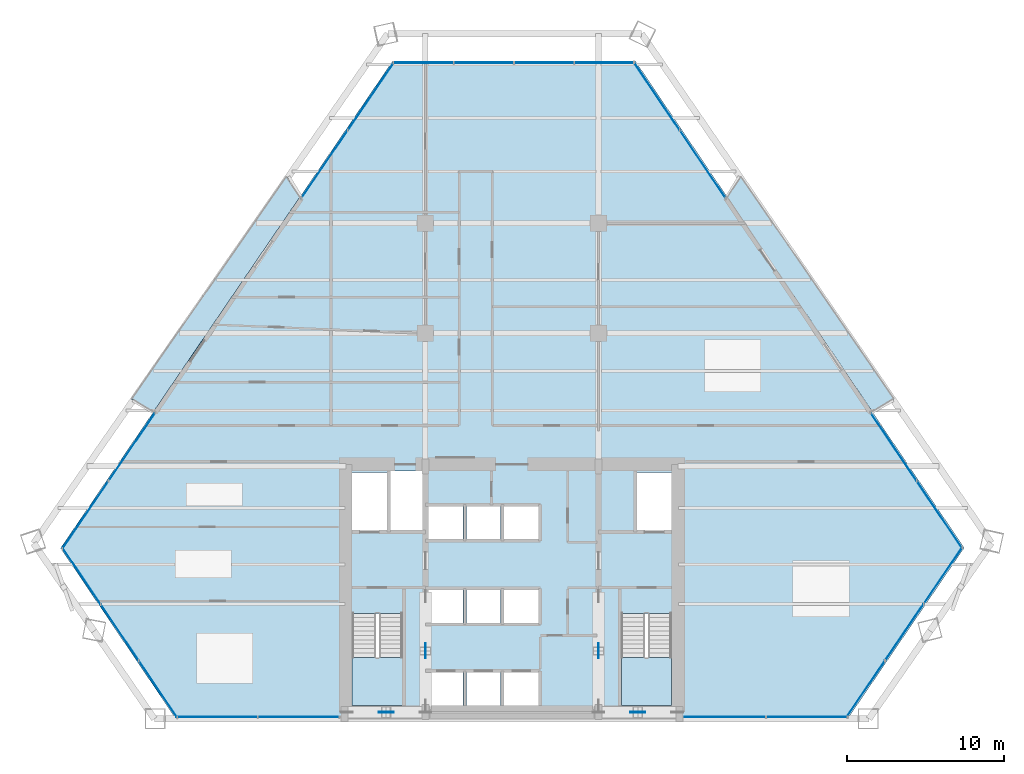
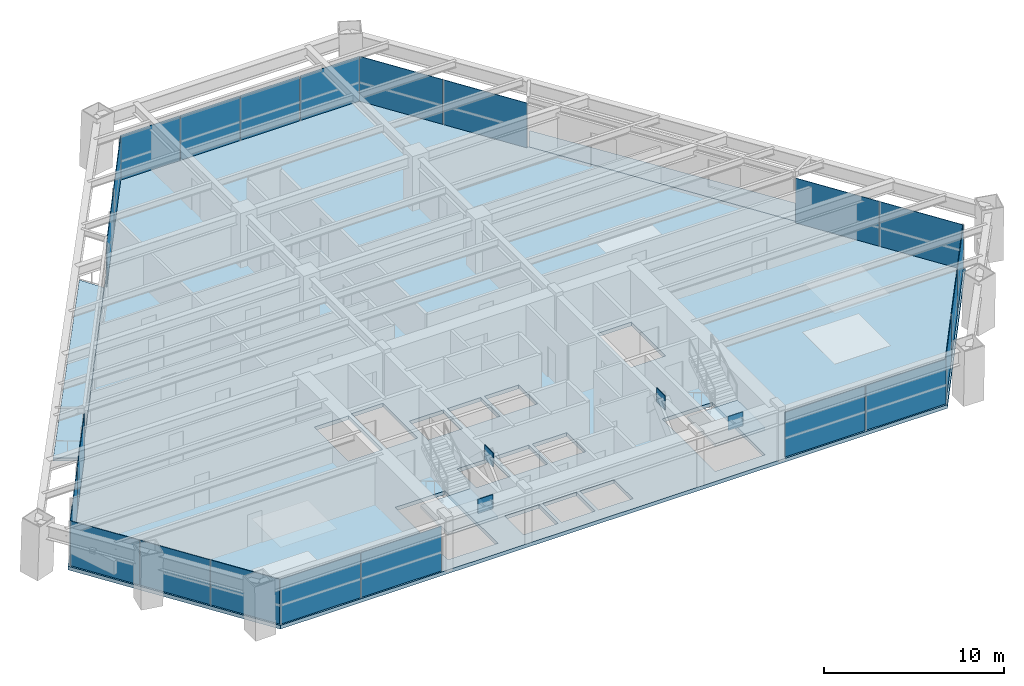
# One storey, part 9 of 14: 26 plates, 5 slabs, 11 elements without a shape of their own.
"""IFC4 building model written with IfcOpenShell, lengths in metres."""

from ifc_helpers import new_model, si_unit, direction, frame, origin, origin_2d, place, context, subcontext, project, spatial, polyline, rectangle, outline, extrude, source, transform, mapped, material, layer, layer_set, type_object, element, aggregate, save


model = new_model("IFC4")

# Units and contexts
model_context = context("Model", 3, precision=1e-05, world=origin(), true_north=direction((0.0, 1.0)))
body_context = subcontext(model_context, "Body", "Model", "MODEL_VIEW")
ifc_project = project(units=[si_unit("LENGTHUNIT", "METRE"), si_unit("AREAUNIT", "SQUARE_METRE"), si_unit("VOLUMEUNIT", "CUBIC_METRE"), si_unit("PLANEANGLEUNIT", "RADIAN"), si_unit("MASSUNIT", "GRAM", prefix="KILO")], contexts=[model_context])

# Site, building, storey
site_placement = place(None, origin())
site = spatial("IfcSite", under=ifc_project, at=site_placement, CompositionType="ELEMENT")
building_placement = place(site_placement, origin())
building = spatial("IfcBuilding", under=site, at=building_placement, Name="Varnakhor Terracotta Tower", CompositionType="ELEMENT")
storey_placement = place(building_placement, frame((0.0, 0.0, 38.60009765625)))
storey = spatial("IfcBuildingStorey", under=building, at=storey_placement, Name="L08", CompositionType="ELEMENT", Elevation=38.60009765625)

# Stair, slab
ifc_material_1 = material(Name="Concrete C40/50", Category="concrete")
stair_type = type_object("IfcStairType", Name="STR-CORE-OFFICE-1500", PredefinedType="HALF_TURN_STAIR", material=ifc_material_1)
stair_1_placement = place(storey_placement, origin())
stair_1 = element("IfcStair", 1, at=stair_1_placement, inside=storey, type_object=stair_type, Name="L08 Core Exit Stair ST-1", PredefinedType="HALF_TURN_STAIR")
ifc_layer_1 = layer(ifc_material_1, 0.179931640625, Name="Concrete C40/50")
ifc_layer_set_1 = layer_set([ifc_layer_1], Name="Concrete C40/50")
slab_type_1 = type_object("IfcSlabType", Name="SLB-LANDING-180", PredefinedType="LANDING", material=ifc_layer_set_1)
slab_1_placement = place(storey_placement, frame((0.0, 0.0, 1.64990234375)))
slab_1 = element("IfcSlab", 2, at=slab_1_placement, type_object=slab_type_1, Name="ST-1 landing 1", PredefinedType="LANDING", context=body_context, shape_type="SweptSolid", body=[
    extrude(outline(polyline([(-10.14990234375, 3.909912109375), (-10.14990234375, 0.85009765625), (-6.949951171875, 0.85009765625), (-6.949951171875, 3.909912109375), (-10.14990234375, 3.909912109375)])), origin(), (0.0, 0.0, 1.0), 0.199951171875),
])
aggregate(stair_1, [slab_1])

stair_2_placement = place(storey_placement, origin())
stair_2 = element("IfcStair", 3, at=stair_2_placement, inside=storey, type_object=stair_type, Name="L08 Core Exit Stair ST-2", PredefinedType="HALF_TURN_STAIR")
slab_2_placement = place(storey_placement, frame((0.0, 0.0, 1.64990234375)))
slab_2 = element("IfcSlab", 4, at=slab_2_placement, type_object=slab_type_1, Name="ST-2 landing 1", PredefinedType="LANDING", context=body_context, shape_type="SweptSolid", body=[
    extrude(outline(polyline([(6.949951171875, 3.909912109375), (6.949951171875, 0.85009765625), (10.14990234375, 0.85009765625), (10.14990234375, 3.909912109375), (6.949951171875, 3.909912109375)])), origin(), (0.0, 0.0, 1.0), 0.199951171875),
])
aggregate(stair_2, [slab_2])

# Slabs
ifc_layer_2 = layer(ifc_material_1, 0.195068359375, Name="Concrete C40/50")
ifc_layer_set_2 = layer_set([ifc_layer_2], Name="Concrete C40/50")
slab_type_2 = type_object("IfcSlabType", Name="SLB-LOGGIA-EXT-195", PredefinedType="FLOOR", material=ifc_layer_set_2)
slab_3_placement = place(storey_placement, frame((0.0, 0.0, -0.195068359375)))
element("IfcSlab", 5, at=slab_3_placement, inside=storey, type_object=slab_type_2, Name="L08 E Recessed Outdoor Loggia Slab", PredefinedType="FLOOR", context=body_context, shape_type="SweptSolid", body=[
    extrude(outline(polyline([(14.517578125, 34.49658203125), (24.281005859375, 20.328369140625), (22.889404296875, 19.538330078125), (13.72998046875, 33.095703125), (13.689208984375, 33.156005859375), (14.517578125, 34.49658203125)])), origin(), (0.0, 0.0, 1.0), 0.195068359375),
])
slab_4_placement = place(storey_placement, frame((0.0, 0.0, -0.195068359375)))
element("IfcSlab", 6, at=slab_4_placement, inside=storey, type_object=slab_type_2, Name="L08 W Recessed Outdoor Loggia Slab", PredefinedType="FLOOR", context=body_context, shape_type="SweptSolid", body=[
    extrude(outline(polyline([(-24.1708984375, 20.31298828125), (-14.31689453125, 34.49072265625), (-13.48828125, 33.150390625), (-21.5693359375, 21.297607421875), (-22.77880859375, 19.523681640625), (-24.1708984375, 20.31298828125)])), origin(), (0.0, 0.0, 1.0), 0.195068359375),
])
ifc_layer_3 = layer(ifc_material_1, 0.25, Name="Concrete C40/50")
ifc_layer_set_3 = layer_set([ifc_layer_3], Name="Concrete C40/50")
slab_type_3 = type_object("IfcSlabType", Name="SLB-OFF-250", PredefinedType="FLOOR", material=ifc_layer_set_3)
slab_5_placement = place(storey_placement, frame((0.0, 0.0, -0.25)))
element("IfcSlab", 7, at=slab_5_placement, inside=storey, type_object=slab_type_3, Name="L08 Structural Floor Slab", PredefinedType="FLOOR", context=body_context, shape_type="SweptSolid", body=[
    extrude(outline(polyline([(-28.69091796875, 10.852294921875), (-7.576416015625, 41.822021484375), (7.834716796875, 41.822021484375), (28.744140625, 10.87255859375), (21.33154296875, 0.0), (-21.359130859375, 0.0), (-28.69091796875, 10.852294921875)]), holes=[polyline([(-3.10009765625, 0.85009765625), (-3.10009765625, 2.949951171875), (-5.300048828125, 2.949951171875), (-5.300048828125, 0.85009765625), (-3.10009765625, 0.85009765625)]), polyline([(-2.8798828125, 0.85009765625), (-0.719970703125, 0.85009765625), (-0.719970703125, 2.949951171875), (-2.8798828125, 2.949951171875), (-2.8798828125, 0.85009765625)]), polyline([(-10.14990234375, 0.85009765625), (-6.949951171875, 0.85009765625), (-6.949951171875, 6.695068359375), (-10.14990234375, 6.695068359375), (-10.14990234375, 0.85009765625)]), polyline([(-5.300048828125, 6.10009765625), (-3.10009765625, 6.10009765625), (-3.10009765625, 8.199951171875), (-5.300048828125, 8.199951171875), (-5.300048828125, 6.10009765625)]), polyline([(-5.300048828125, 11.419921875), (-3.10009765625, 11.419921875), (-3.10009765625, 13.52001953125), (-5.300048828125, 13.52001953125), (-5.300048828125, 11.419921875)]), polyline([(-10.14990234375, 11.8798828125), (-7.949951171875, 11.8798828125), (-7.949951171875, 15.64990234375), (-10.14990234375, 15.64990234375), (-10.14990234375, 11.8798828125)]), polyline([(-7.72998046875, 11.8798828125), (-5.699951171875, 11.8798828125), (-5.699951171875, 15.75), (-7.72998046875, 15.75), (-7.72998046875, 11.8798828125)]), polyline([(1.699951171875, 0.85009765625), (1.699951171875, 2.949951171875), (-0.5, 2.949951171875), (-0.5, 0.85009765625), (1.699951171875, 0.85009765625)]), polyline([(6.949951171875, 0.85009765625), (10.14990234375, 0.85009765625), (10.14990234375, 6.695068359375), (6.949951171875, 6.695068359375), (6.949951171875, 0.85009765625)]), polyline([(-2.8798828125, 6.10009765625), (-0.719970703125, 6.10009765625), (-0.719970703125, 8.199951171875), (-2.8798828125, 8.199951171875), (-2.8798828125, 6.10009765625)]), polyline([(-0.5, 6.10009765625), (1.699951171875, 6.10009765625), (1.699951171875, 8.199951171875), (-0.5, 8.199951171875), (-0.5, 6.10009765625)]), polyline([(-2.8798828125, 11.419921875), (-0.719970703125, 11.419921875), (-0.719970703125, 13.52001953125), (-2.8798828125, 13.52001953125), (-2.8798828125, 11.419921875)]), polyline([(-0.5, 11.419921875), (1.699951171875, 11.419921875), (1.699951171875, 13.52001953125), (-0.5, 13.52001953125), (-0.5, 11.419921875)]), polyline([(7.949951171875, 11.8798828125), (10.14990234375, 11.8798828125), (10.14990234375, 15.64990234375), (7.949951171875, 15.64990234375), (7.949951171875, 11.8798828125)])]), origin(), (0.0, 0.0, 1.0), 0.25),
])

# Plates
ifc_material_2 = material(Name="Steel S460", Category="steel")
ifc_layer_4 = layer(ifc_material_2, 0.050048828125, Name="Steel S460")
ifc_layer_set_4 = layer_set([ifc_layer_4], Name="Steel S460")
plate_type_1 = type_object("IfcPlateType", Name="PLT-GUSSET-50", PredefinedType="USERDEFINED", material=ifc_layer_set_4)
shared_shape_1 = source(origin(), body_context, "Body", "SweptSolid", [
    extrude(rectangle(XDim=0.949951171875, YDim=0.044921875, at=origin_2d()), origin(), (0.0, 0.0, 1.0), 0.949951171875),
])
for number, where, z_axis, x_axis, name in (
    (8, (-8.0, 0.419921875, 2.82470703125), (0.0, 0.0, 1.0), (1.0, 0.0, 0.0), "L08 Core Brace Apex Gusset CSW"),
    (9, (8.0, 0.419921875, 2.82470703125), (0.0, 0.0, 1.0), (1.0, 0.0, 0.0), "L08 Core Brace Apex Gusset CSE"),
    (10, (-5.5, 4.324951171875, 2.82470703125), (0.0, 0.0, 1.0), (0.0, 1.0, 0.0), "L08 Core Brace Apex Gusset CWW"),
    (11, (5.5, 4.324951171875, 2.82470703125), (0.0, 0.0, 1.0), (0.0, 1.0, 0.0), "L08 Core Brace Apex Gusset CWE"),
):
    element("IfcPlate", number, at=place(storey_placement, frame(where, z_axis=z_axis, x_axis=x_axis)), inside=storey, type_object=plate_type_1, Name=name, ObjectType="GUSSET PLATE", PredefinedType="USERDEFINED", context=body_context, shape_type="MappedRepresentation", body=[
        mapped(shared_shape_1, transform((0.0, 0.0, 0.0), scale=1.0)),
    ])

# Curtain wall, plates
ifc_material_3 = material(Name="Anodised Aluminium Curtain Wall System", Category="aluminium")
curtain_wall_type = type_object("IfcCurtainWallType", Name="CW-SYS-LOW-OFFICE", PredefinedType="NOTDEFINED", material=ifc_material_3)
curtain_wall_1_placement = place(storey_placement, origin())
curtain_wall_1 = element("IfcCurtainWall", 12, at=curtain_wall_1_placement, inside=storey, type_object=curtain_wall_type, Name="L08 W Facet Curtain Wall 1", PredefinedType="NOTDEFINED")
ifc_material_4 = material(Name="Solar-Control Low-E Insulated Glass Panel", Category="glass")
ifc_layer_5 = layer(ifc_material_4, 0.0380859375, Name="Solar-Control Low-E Insulated Glass Panel")
ifc_layer_set_5 = layer_set([ifc_layer_5], Name="Solar-Control Low-E Insulated Glass Panel")
plate_type_2 = type_object("IfcPlateType", Name="CWP-02", PredefinedType="CURTAIN_PANEL", material=ifc_layer_set_5)
shared_shape_2 = source(origin(), body_context, "Body", "SweptSolid", [
    extrude(rectangle(XDim=5.177490234375, YDim=0.035888671875, at=origin_2d()), origin(), (0.0, 0.0, 1.0), 3.030029296875),
])
plate_1_placement = place(storey_placement, frame((-27.105224609375, 12.96484375, 0.0), z_axis=(0.0, 0.0, 1.0), x_axis=(0.563309757601, 0.826245796959, 0.0)))
plate_1 = element("IfcPlate", 13, at=plate_1_placement, type_object=plate_type_2, Name="L08 W Facet Curtain Wall 1 Glazed Panel 1", PredefinedType="CURTAIN_PANEL", context=body_context, shape_type="MappedRepresentation", body=[
    mapped(shared_shape_2, transform((0.0, 0.0, 0.0), scale=1.0)),
])
plate_2_placement = place(storey_placement, frame((-24.166015625, 17.27587890625, 0.0), z_axis=(0.0, 0.0, 1.0), x_axis=(0.563309757601, 0.826245796959, 0.0)))
plate_2 = element("IfcPlate", 14, at=plate_2_placement, type_object=plate_type_2, Name="L08 W Facet Curtain Wall 1 Glazed Panel 2", PredefinedType="CURTAIN_PANEL", context=body_context, shape_type="MappedRepresentation", body=[
    mapped(shared_shape_2, transform((0.0, 0.0, 0.0), scale=1.0)),
])
aggregate(curtain_wall_1, [plate_1, plate_2])

curtain_wall_2_placement = place(storey_placement, origin())
curtain_wall_2 = element("IfcCurtainWall", 15, at=curtain_wall_2_placement, inside=storey, type_object=curtain_wall_type, Name="L08 W Facet Curtain Wall 2", PredefinedType="NOTDEFINED")
plate_3_placement = place(storey_placement, frame((-11.902587890625, 35.26318359375, 0.0), z_axis=(0.0, 0.0, 1.0), x_axis=(0.563309757601, 0.826245796959, 0.0)))
plate_3 = element("IfcPlate", 16, at=plate_3_placement, type_object=plate_type_2, Name="L08 W Facet Curtain Wall 2 Glazed Panel 1", PredefinedType="CURTAIN_PANEL", context=body_context, shape_type="MappedRepresentation", body=[
    mapped(shared_shape_2, transform((0.0, 0.0, 0.0), scale=1.0)),
])
plate_4_placement = place(storey_placement, frame((-8.963623046875, 39.57421875, 0.0), z_axis=(0.0, 0.0, 1.0), x_axis=(0.563309757601, 0.826245796959, 0.0)))
plate_4 = element("IfcPlate", 17, at=plate_4_placement, type_object=plate_type_2, Name="L08 W Facet Curtain Wall 2 Glazed Panel 2", PredefinedType="CURTAIN_PANEL", context=body_context, shape_type="MappedRepresentation", body=[
    mapped(shared_shape_2, transform((0.0, 0.0, 0.0), scale=1.0)),
])
aggregate(curtain_wall_2, [plate_3, plate_4])

curtain_wall_3_placement = place(storey_placement, origin())
curtain_wall_3 = element("IfcCurtainWall", 18, at=curtain_wall_3_placement, inside=storey, type_object=curtain_wall_type, Name="L08 Facet Curtain Wall 2", PredefinedType="NOTDEFINED")
shared_shape_3 = source(origin(), body_context, "Body", "SweptSolid", [
    extrude(rectangle(XDim=3.797607421875, YDim=0.035888671875, at=origin_2d()), origin(), (0.0, 0.0, 1.0), 3.030029296875),
])
plate_5_placement = place(storey_placement, frame((-5.62744140625, 41.701904296875, 0.0), z_axis=(0.0, 0.0, 1.0), x_axis=(1.0, 0.0, 0.0)))
plate_5 = element("IfcPlate", 19, at=plate_5_placement, type_object=plate_type_2, Name="L08 Facet Curtain Wall 2 Glazed Panel 1", PredefinedType="CURTAIN_PANEL", context=body_context, shape_type="MappedRepresentation", body=[
    mapped(shared_shape_3, transform((0.0, 0.0, 0.0), scale=1.0)),
])
plate_6_placement = place(storey_placement, frame((2.048095703125, 41.701904296875, 0.0), z_axis=(0.0, 0.0, 1.0), x_axis=(1.0, 0.0, 0.0)))
plate_6 = element("IfcPlate", 20, at=plate_6_placement, type_object=plate_type_2, Name="L08 Facet Curtain Wall 2 Glazed Panel 3", PredefinedType="CURTAIN_PANEL", context=body_context, shape_type="MappedRepresentation", body=[
    mapped(shared_shape_3, transform((0.0, 0.0, 0.0), scale=1.0)),
])
plate_7_placement = place(storey_placement, frame((5.8857421875, 41.701904296875, 0.0), z_axis=(0.0, 0.0, 1.0), x_axis=(1.0, 0.0, 0.0)))
plate_7 = element("IfcPlate", 21, at=plate_7_placement, type_object=plate_type_2, Name="L08 Facet Curtain Wall 2 Glazed Panel 4", PredefinedType="CURTAIN_PANEL", context=body_context, shape_type="MappedRepresentation", body=[
    mapped(shared_shape_3, transform((0.0, 0.0, 0.0), scale=1.0)),
])
shared_shape_4 = source(origin(), body_context, "Body", "SweptSolid", [
    extrude(rectangle(XDim=3.7978515625, YDim=0.035888671875, at=origin_2d()), origin(), (0.0, 0.0, 1.0), 3.030029296875),
])
plate_8_placement = place(storey_placement, frame((-1.789794921875, 41.701904296875, 0.0), z_axis=(0.0, 0.0, 1.0), x_axis=(1.0, 0.0, 0.0)))
plate_8 = element("IfcPlate", 22, at=plate_8_placement, type_object=plate_type_2, Name="L08 Facet Curtain Wall 2 Glazed Panel 2", PredefinedType="CURTAIN_PANEL", context=body_context, shape_type="MappedRepresentation", body=[
    mapped(shared_shape_4, transform((0.0, 0.0, 0.0), scale=1.0)),
])
aggregate(curtain_wall_3, [plate_5, plate_8, plate_6, plate_7])

curtain_wall_4_placement = place(storey_placement, origin())
curtain_wall_4 = element("IfcCurtainWall", 23, at=curtain_wall_4_placement, inside=storey, type_object=curtain_wall_type, Name="L08 E Facet Curtain Wall 1", PredefinedType="NOTDEFINED")
shared_shape_5 = source(origin(), body_context, "Body", "SweptSolid", [
    extrude(rectangle(XDim=5.1591796875, YDim=0.035888671875, at=origin_2d()), origin(), (0.0, 0.0, 1.0), 3.030029296875),
])
plate_9_placement = place(storey_placement, frame((9.207275390625, 39.575927734375, 0.0), z_axis=(0.0, 0.0, 1.0), x_axis=(0.559814931649, -0.828617669557, 0.0)))
plate_9 = element("IfcPlate", 24, at=plate_9_placement, type_object=plate_type_2, Name="L08 E Facet Curtain Wall 1 Glazed Panel 1", PredefinedType="CURTAIN_PANEL", context=body_context, shape_type="MappedRepresentation", body=[
    mapped(shared_shape_5, transform((0.0, 0.0, 0.0), scale=1.0)),
])
plate_10_placement = place(storey_placement, frame((12.117919921875, 35.267822265625, 0.0), z_axis=(0.0, 0.0, 1.0), x_axis=(0.559814931649, -0.828617669557, 0.0)))
plate_10 = element("IfcPlate", 25, at=plate_10_placement, type_object=plate_type_2, Name="L08 E Facet Curtain Wall 1 Glazed Panel 2", PredefinedType="CURTAIN_PANEL", context=body_context, shape_type="MappedRepresentation", body=[
    mapped(shared_shape_5, transform((0.0, 0.0, 0.0), scale=1.0)),
])
aggregate(curtain_wall_4, [plate_9, plate_10])

curtain_wall_5_placement = place(storey_placement, origin())
curtain_wall_5 = element("IfcCurtainWall", 26, at=curtain_wall_5_placement, inside=storey, type_object=curtain_wall_type, Name="L08 E Facet Curtain Wall 2", PredefinedType="NOTDEFINED")
plate_11_placement = place(storey_placement, frame((27.172607421875, 12.984130859375, 0.0), z_axis=(0.0, 0.0, 1.0), x_axis=(0.559814931649, -0.828617669557, 0.0)))
plate_11 = element("IfcPlate", 27, at=plate_11_placement, type_object=plate_type_2, Name="L08 E Facet Curtain Wall 2 Glazed Panel 2", PredefinedType="CURTAIN_PANEL", context=body_context, shape_type="MappedRepresentation", body=[
    mapped(shared_shape_5, transform((0.0, 0.0, 0.0), scale=1.0)),
])
shared_shape_6 = source(origin(), body_context, "Body", "SweptSolid", [
    extrude(rectangle(XDim=5.158935546875, YDim=0.035888671875, at=origin_2d()), origin(), (0.0, 0.0, 1.0), 3.030029296875),
])
plate_12_placement = place(storey_placement, frame((24.26220703125, 17.292236328125, 0.0), z_axis=(0.0, 0.0, 1.0), x_axis=(0.559814931649, -0.828617669557, 0.0)))
plate_12 = element("IfcPlate", 28, at=plate_12_placement, type_object=plate_type_2, Name="L08 E Facet Curtain Wall 2 Glazed Panel 1", PredefinedType="CURTAIN_PANEL", context=body_context, shape_type="MappedRepresentation", body=[
    mapped(shared_shape_6, transform((0.0, 0.0, 0.0), scale=1.0)),
])
aggregate(curtain_wall_5, [plate_12, plate_11])

curtain_wall_6_placement = place(storey_placement, origin())
curtain_wall_6 = element("IfcCurtainWall", 29, at=curtain_wall_6_placement, inside=storey, type_object=curtain_wall_type, Name="L08 Facet Curtain Wall 4", PredefinedType="NOTDEFINED")
shared_shape_7 = source(origin(), body_context, "Body", "SweptSolid", [
    extrude(rectangle(XDim=4.326416015625, YDim=0.035888671875, at=origin_2d()), origin(), (0.0, 0.0, 1.0), 3.030029296875),
])
plate_13_placement = place(storey_placement, frame((27.398193359375, 9.111572265625, 0.0), z_axis=(0.0, 0.0, 1.0), x_axis=(-0.563309757601, -0.826245796959, 0.0)))
plate_13 = element("IfcPlate", 30, at=plate_13_placement, type_object=plate_type_2, Name="L08 Facet Curtain Wall 4 Glazed Panel 1", PredefinedType="CURTAIN_PANEL", context=body_context, shape_type="MappedRepresentation", body=[
    mapped(shared_shape_7, transform((0.0, 0.0, 0.0), scale=1.0)),
])
plate_14_placement = place(storey_placement, frame((24.938720703125, 5.50390625, 0.0), z_axis=(0.0, 0.0, 1.0), x_axis=(-0.563309757601, -0.826245796959, 0.0)))
plate_14 = element("IfcPlate", 31, at=plate_14_placement, type_object=plate_type_2, Name="L08 Facet Curtain Wall 4 Glazed Panel 2", PredefinedType="CURTAIN_PANEL", context=body_context, shape_type="MappedRepresentation", body=[
    mapped(shared_shape_7, transform((0.0, 0.0, 0.0), scale=1.0)),
])
plate_15_placement = place(storey_placement, frame((22.47900390625, 1.896240234375, 0.0), z_axis=(0.0, 0.0, 1.0), x_axis=(-0.563309757601, -0.826245796959, 0.0)))
plate_15 = element("IfcPlate", 32, at=plate_15_placement, type_object=plate_type_2, Name="L08 Facet Curtain Wall 4 Glazed Panel 3", PredefinedType="CURTAIN_PANEL", context=body_context, shape_type="MappedRepresentation", body=[
    mapped(shared_shape_7, transform((0.0, 0.0, 0.0), scale=1.0)),
])
aggregate(curtain_wall_6, [plate_13, plate_14, plate_15])

curtain_wall_7_placement = place(storey_placement, origin())
curtain_wall_7 = element("IfcCurtainWall", 33, at=curtain_wall_7_placement, inside=storey, type_object=curtain_wall_type, Name="L08 South Wing Curtain Wall SSE", PredefinedType="NOTDEFINED")
shared_shape_8 = source(origin(), body_context, "Body", "SweptSolid", [
    extrude(rectangle(XDim=5.1357421875, YDim=0.035888671875, at=origin_2d()), origin(), (0.0, 0.0, 1.0), 3.030029296875),
])
plate_16_placement = place(storey_placement, frame((18.733642578125, 0.1201171875, 0.0), z_axis=(0.0, 0.0, 1.0), x_axis=(-1.0, 0.0, 0.0)))
plate_16 = element("IfcPlate", 34, at=plate_16_placement, type_object=plate_type_2, Name="L08 South Wing Curtain Wall SSE Glazed Panel 1", PredefinedType="CURTAIN_PANEL", context=body_context, shape_type="MappedRepresentation", body=[
    mapped(shared_shape_8, transform((0.0, 0.0, 0.0), scale=1.0)),
])
plate_17_placement = place(storey_placement, frame((13.557861328125, 0.1201171875, 0.0), z_axis=(0.0, 0.0, 1.0), x_axis=(-1.0, 0.0, 0.0)))
plate_17 = element("IfcPlate", 35, at=plate_17_placement, type_object=plate_type_2, Name="L08 South Wing Curtain Wall SSE Glazed Panel 2", PredefinedType="CURTAIN_PANEL", context=body_context, shape_type="MappedRepresentation", body=[
    mapped(shared_shape_8, transform((0.0, 0.0, 0.0), scale=1.0)),
])
aggregate(curtain_wall_7, [plate_16, plate_17])

curtain_wall_8_placement = place(storey_placement, origin())
curtain_wall_8 = element("IfcCurtainWall", 36, at=curtain_wall_8_placement, inside=storey, type_object=curtain_wall_type, Name="L08 South Wing Curtain Wall SSW", PredefinedType="NOTDEFINED")
shared_shape_9 = source(origin(), body_context, "Body", "SweptSolid", [
    extrude(rectangle(XDim=5.1494140625, YDim=0.035888671875, at=origin_2d()), origin(), (0.0, 0.0, 1.0), 3.030029296875),
])
plate_18_placement = place(storey_placement, frame((-13.564697265625, 0.1201171875, 0.0), z_axis=(0.0, 0.0, 1.0), x_axis=(-1.0, 0.0, 0.0)))
plate_18 = element("IfcPlate", 37, at=plate_18_placement, type_object=plate_type_2, Name="L08 South Wing Curtain Wall SSW Glazed Panel 1", PredefinedType="CURTAIN_PANEL", context=body_context, shape_type="MappedRepresentation", body=[
    mapped(shared_shape_9, transform((0.0, 0.0, 0.0), scale=1.0)),
])
shared_shape_10 = source(origin(), body_context, "Body", "SweptSolid", [
    extrude(rectangle(XDim=5.149658203125, YDim=0.035888671875, at=origin_2d()), origin(), (0.0, 0.0, 1.0), 3.030029296875),
])
plate_19_placement = place(storey_placement, frame((-18.75439453125, 0.1201171875, 0.0), z_axis=(0.0, 0.0, 1.0), x_axis=(-1.0, 0.0, 0.0)))
plate_19 = element("IfcPlate", 38, at=plate_19_placement, type_object=plate_type_2, Name="L08 South Wing Curtain Wall SSW Glazed Panel 2", PredefinedType="CURTAIN_PANEL", context=body_context, shape_type="MappedRepresentation", body=[
    mapped(shared_shape_10, transform((0.0, 0.0, 0.0), scale=1.0)),
])
aggregate(curtain_wall_8, [plate_18, plate_19])

curtain_wall_9_placement = place(storey_placement, origin())
curtain_wall_9 = element("IfcCurtainWall", 39, at=curtain_wall_9_placement, inside=storey, type_object=curtain_wall_type, Name="L08 Facet Curtain Wall 6", PredefinedType="NOTDEFINED")
shared_shape_11 = source(origin(), body_context, "Body", "SweptSolid", [
    extrude(rectangle(XDim=4.3056640625, YDim=0.035888671875, at=origin_2d()), origin(), (0.0, 0.0, 1.0), 3.030029296875),
])
plate_20_placement = place(storey_placement, frame((-22.492919921875, 1.892333984375, 0.0), z_axis=(0.0, 0.0, 1.0), x_axis=(-0.559814931649, 0.828617669557, 0.0)))
plate_20 = element("IfcPlate", 40, at=plate_20_placement, type_object=plate_type_2, Name="L08 Facet Curtain Wall 6 Glazed Panel 1", PredefinedType="CURTAIN_PANEL", context=body_context, shape_type="MappedRepresentation", body=[
    mapped(shared_shape_11, transform((0.0, 0.0, 0.0), scale=1.0)),
])
shared_shape_12 = source(origin(), body_context, "Body", "SweptSolid", [
    extrude(rectangle(XDim=4.305419921875, YDim=0.035888671875, at=origin_2d()), origin(), (0.0, 0.0, 1.0), 3.030029296875),
])
plate_21_placement = place(storey_placement, frame((-24.925537109375, 5.493408203125, 0.0), z_axis=(0.0, 0.0, 1.0), x_axis=(-0.559814931649, 0.828617669557, 0.0)))
plate_21 = element("IfcPlate", 41, at=plate_21_placement, type_object=plate_type_2, Name="L08 Facet Curtain Wall 6 Glazed Panel 2", PredefinedType="CURTAIN_PANEL", context=body_context, shape_type="MappedRepresentation", body=[
    mapped(shared_shape_12, transform((0.0, 0.0, 0.0), scale=1.0)),
])
plate_22_placement = place(storey_placement, frame((-27.358154296875, 9.093994140625, 0.0), z_axis=(0.0, 0.0, 1.0), x_axis=(-0.559814931649, 0.828617669557, 0.0)))
plate_22 = element("IfcPlate", 42, at=plate_22_placement, type_object=plate_type_2, Name="L08 Facet Curtain Wall 6 Glazed Panel 3", PredefinedType="CURTAIN_PANEL", context=body_context, shape_type="MappedRepresentation", body=[
    mapped(shared_shape_12, transform((0.0, 0.0, 0.0), scale=1.0)),
])
aggregate(curtain_wall_9, [plate_20, plate_21, plate_22])

save(model, "model.ifc")
